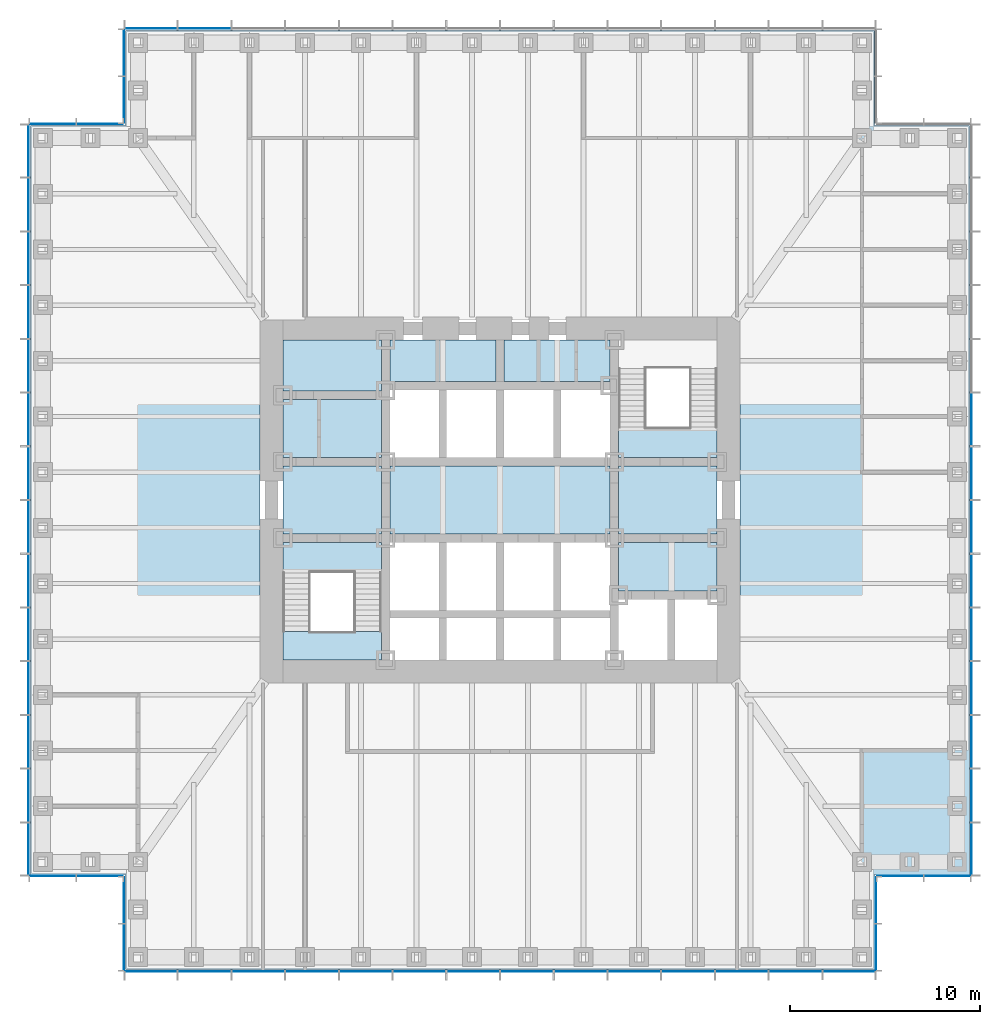
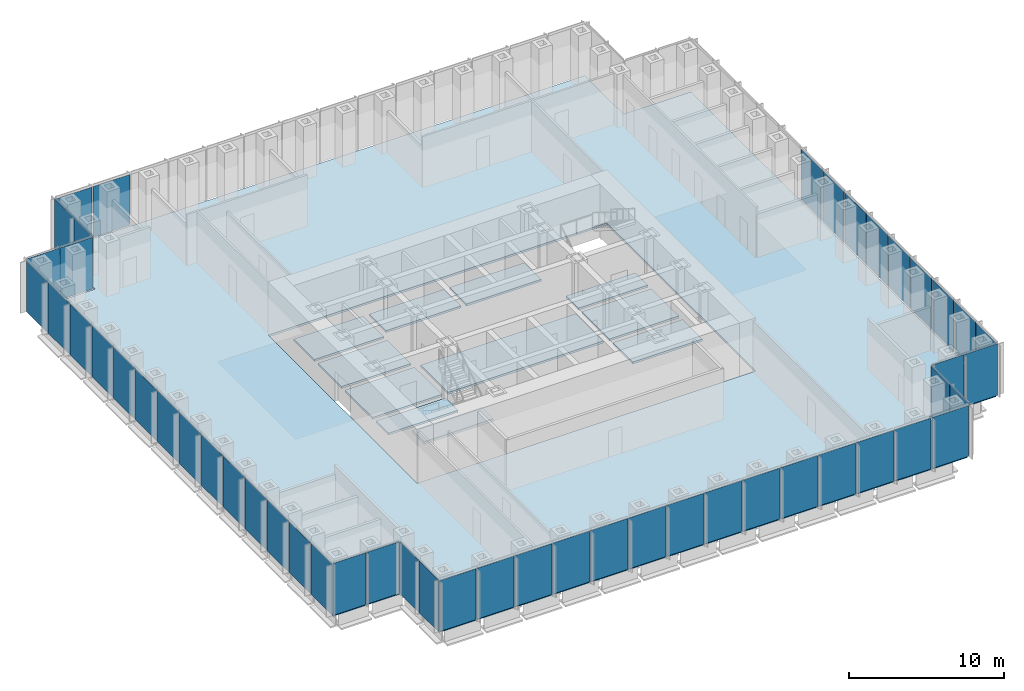
# One storey, part 7 of 16: 51 plates, 12 slabs, 11 elements without a shape of their own.
"""IFC4 building model written with IfcOpenShell, lengths in metres."""

from ifc_helpers import new_model, si_unit, direction, frame, origin, origin_2d, place, context, subcontext, project, spatial, polyline, rectangle, outline, extrude, material, layer, layer_set, type_object, element, aggregate, save


model = new_model("IFC4")

# Units and contexts
model_context = context("Model", 3, precision=1e-05, world=origin(), true_north=direction((0.0, 1.0)))
body_context = subcontext(model_context, "Body", "Model", "MODEL_VIEW")
ifc_project = project(units=[si_unit("LENGTHUNIT", "METRE"), si_unit("AREAUNIT", "SQUARE_METRE"), si_unit("VOLUMEUNIT", "CUBIC_METRE"), si_unit("PLANEANGLEUNIT", "RADIAN"), si_unit("MASSUNIT", "GRAM", prefix="KILO")], contexts=[model_context])

# Site, building, storey
site_placement = place(None, origin())
site = spatial("IfcSite", under=ifc_project, at=site_placement, CompositionType="ELEMENT")
building_placement = place(site_placement, origin())
building = spatial("IfcBuilding", under=site, at=building_placement, Name="Daluyong Arena Tower", CompositionType="ELEMENT")
storey_placement = place(building_placement, frame((0.0, 0.0, 51.699951171875)))
storey = spatial("IfcBuildingStorey", under=building, at=storey_placement, Name="L10", CompositionType="ELEMENT", Elevation=51.699951171875)

# Curtain wall, plates
ifc_material_1 = material(Name="Bronze anodised aluminium and glass", Category="aluminium")
curtain_wall_type_1 = type_object("IfcCurtainWallType", Name="Curtain wall CW1", PredefinedType="USERDEFINED", material=ifc_material_1)
curtain_wall_1_placement = place(storey_placement, origin())
curtain_wall_1 = element("IfcCurtainWall", 1, at=curtain_wall_1_placement, inside=storey, type_object=curtain_wall_type_1, Name="curtain wall L10 S", ObjectType="UNITISED CURTAIN WALL", PredefinedType="USERDEFINED")
ifc_material_2 = material(Name="Tinted double glazed unit", Category="glass")
ifc_layer_1 = layer(ifc_material_2, 0.031982421875)
ifc_layer_set_1 = layer_set([ifc_layer_1], Name="Tinted double glazed unit")
plate_type_1 = type_object("IfcPlateType", Name="CW1 panel 32", PredefinedType="CURTAIN_PANEL", material=ifc_layer_set_1)
plate_1_placement = place(storey_placement, frame((37.6806640625, 55.25, 0.0), z_axis=(0.0, 0.0, 1.0), x_axis=(1.0, 0.0, 0.0)))
plate_1 = element("IfcPlate", 2, at=plate_1_placement, type_object=plate_type_1, Name="curtain wall L10 S panel 1", PredefinedType="CURTAIN_PANEL", context=body_context, shape_type="SweptSolid", body=[
    extrude(rectangle(XDim=2.701416015625, YDim=0.031982421875, at=origin_2d()), origin(), (0.0, 0.0, 1.0), 4.0),
])
plate_2_placement = place(storey_placement, frame((40.482177734375, 55.25, 0.0), z_axis=(0.0, 0.0, 1.0), x_axis=(1.0, 0.0, 0.0)))
plate_2 = element("IfcPlate", 3, at=plate_2_placement, type_object=plate_type_1, Name="curtain wall L10 S panel 2", PredefinedType="CURTAIN_PANEL", context=body_context, shape_type="SweptSolid", body=[
    extrude(rectangle(XDim=2.741455078125, YDim=0.031982421875, at=origin_2d()), origin(), (0.0, 0.0, 1.0), 4.0),
])
plate_3_placement = place(storey_placement, frame((43.303466796875, 55.25, 0.0), z_axis=(0.0, 0.0, 1.0), x_axis=(1.0, 0.0, 0.0)))
plate_3 = element("IfcPlate", 4, at=plate_3_placement, type_object=plate_type_1, Name="curtain wall L10 S panel 3", PredefinedType="CURTAIN_PANEL", context=body_context, shape_type="SweptSolid", body=[
    extrude(rectangle(XDim=2.741455078125, YDim=0.031982421875, at=origin_2d()), origin(), (0.0, 0.0, 1.0), 4.0),
])
plate_4_placement = place(storey_placement, frame((46.125, 55.25, 0.0), z_axis=(0.0, 0.0, 1.0), x_axis=(1.0, 0.0, 0.0)))
plate_4 = element("IfcPlate", 5, at=plate_4_placement, type_object=plate_type_1, Name="curtain wall L10 S panel 4", PredefinedType="CURTAIN_PANEL", context=body_context, shape_type="SweptSolid", body=[
    extrude(rectangle(XDim=2.741455078125, YDim=0.031982421875, at=origin_2d()), origin(), (0.0, 0.0, 1.0), 4.0),
])
plate_5_placement = place(storey_placement, frame((48.946533203125, 55.25, 0.0), z_axis=(0.0, 0.0, 1.0), x_axis=(1.0, 0.0, 0.0)))
plate_5 = element("IfcPlate", 6, at=plate_5_placement, type_object=plate_type_1, Name="curtain wall L10 S panel 5", PredefinedType="CURTAIN_PANEL", context=body_context, shape_type="SweptSolid", body=[
    extrude(rectangle(XDim=2.741455078125, YDim=0.031982421875, at=origin_2d()), origin(), (0.0, 0.0, 1.0), 4.0),
])
plate_6_placement = place(storey_placement, frame((51.767822265625, 55.25, 0.0), z_axis=(0.0, 0.0, 1.0), x_axis=(1.0, 0.0, 0.0)))
plate_6 = element("IfcPlate", 7, at=plate_6_placement, type_object=plate_type_1, Name="curtain wall L10 S panel 6", PredefinedType="CURTAIN_PANEL", context=body_context, shape_type="SweptSolid", body=[
    extrude(rectangle(XDim=2.741455078125, YDim=0.031982421875, at=origin_2d()), origin(), (0.0, 0.0, 1.0), 4.0),
])
plate_7_placement = place(storey_placement, frame((54.58935546875, 55.25, 0.0), z_axis=(0.0, 0.0, 1.0), x_axis=(1.0, 0.0, 0.0)))
plate_7 = element("IfcPlate", 8, at=plate_7_placement, type_object=plate_type_1, Name="curtain wall L10 S panel 7", PredefinedType="CURTAIN_PANEL", context=body_context, shape_type="SweptSolid", body=[
    extrude(rectangle(XDim=2.741455078125, YDim=0.031982421875, at=origin_2d()), origin(), (0.0, 0.0, 1.0), 4.0),
])
plate_8_placement = place(storey_placement, frame((57.41064453125, 55.25, 0.0), z_axis=(0.0, 0.0, 1.0), x_axis=(1.0, 0.0, 0.0)))
plate_8 = element("IfcPlate", 9, at=plate_8_placement, type_object=plate_type_1, Name="curtain wall L10 S panel 8", PredefinedType="CURTAIN_PANEL", context=body_context, shape_type="SweptSolid", body=[
    extrude(rectangle(XDim=2.741455078125, YDim=0.031982421875, at=origin_2d()), origin(), (0.0, 0.0, 1.0), 4.0),
])
plate_9_placement = place(storey_placement, frame((60.232177734375, 55.25, 0.0), z_axis=(0.0, 0.0, 1.0), x_axis=(1.0, 0.0, 0.0)))
plate_9 = element("IfcPlate", 10, at=plate_9_placement, type_object=plate_type_1, Name="curtain wall L10 S panel 9", PredefinedType="CURTAIN_PANEL", context=body_context, shape_type="SweptSolid", body=[
    extrude(rectangle(XDim=2.741455078125, YDim=0.031982421875, at=origin_2d()), origin(), (0.0, 0.0, 1.0), 4.0),
])
plate_10_placement = place(storey_placement, frame((63.053466796875, 55.25, 0.0), z_axis=(0.0, 0.0, 1.0), x_axis=(1.0, 0.0, 0.0)))
plate_10 = element("IfcPlate", 11, at=plate_10_placement, type_object=plate_type_1, Name="curtain wall L10 S panel 10", PredefinedType="CURTAIN_PANEL", context=body_context, shape_type="SweptSolid", body=[
    extrude(rectangle(XDim=2.741455078125, YDim=0.031982421875, at=origin_2d()), origin(), (0.0, 0.0, 1.0), 4.0),
])
plate_11_placement = place(storey_placement, frame((65.875, 55.25, 0.0), z_axis=(0.0, 0.0, 1.0), x_axis=(1.0, 0.0, 0.0)))
plate_11 = element("IfcPlate", 12, at=plate_11_placement, type_object=plate_type_1, Name="curtain wall L10 S panel 11", PredefinedType="CURTAIN_PANEL", context=body_context, shape_type="SweptSolid", body=[
    extrude(rectangle(XDim=2.741455078125, YDim=0.031982421875, at=origin_2d()), origin(), (0.0, 0.0, 1.0), 4.0),
])
plate_12_placement = place(storey_placement, frame((68.696533203125, 55.25, 0.0), z_axis=(0.0, 0.0, 1.0), x_axis=(1.0, 0.0, 0.0)))
plate_12 = element("IfcPlate", 13, at=plate_12_placement, type_object=plate_type_1, Name="curtain wall L10 S panel 12", PredefinedType="CURTAIN_PANEL", context=body_context, shape_type="SweptSolid", body=[
    extrude(rectangle(XDim=2.741455078125, YDim=0.031982421875, at=origin_2d()), origin(), (0.0, 0.0, 1.0), 4.0),
])
plate_13_placement = place(storey_placement, frame((71.517822265625, 55.25, 0.0), z_axis=(0.0, 0.0, 1.0), x_axis=(1.0, 0.0, 0.0)))
plate_13 = element("IfcPlate", 14, at=plate_13_placement, type_object=plate_type_1, Name="curtain wall L10 S panel 13", PredefinedType="CURTAIN_PANEL", context=body_context, shape_type="SweptSolid", body=[
    extrude(rectangle(XDim=2.741455078125, YDim=0.031982421875, at=origin_2d()), origin(), (0.0, 0.0, 1.0), 4.0),
])
plate_14_placement = place(storey_placement, frame((74.3193359375, 55.25, 0.0), z_axis=(0.0, 0.0, 1.0), x_axis=(1.0, 0.0, 0.0)))
plate_14 = element("IfcPlate", 15, at=plate_14_placement, type_object=plate_type_1, Name="curtain wall L10 S panel 14", PredefinedType="CURTAIN_PANEL", context=body_context, shape_type="SweptSolid", body=[
    extrude(rectangle(XDim=2.701416015625, YDim=0.031982421875, at=origin_2d()), origin(), (0.0, 0.0, 1.0), 4.0),
])
aggregate(curtain_wall_1, [plate_1, plate_2, plate_3, plate_4, plate_5, plate_6, plate_7, plate_8, plate_9, plate_10, plate_11, plate_12, plate_13, plate_14])

curtain_wall_2_placement = place(storey_placement, origin())
curtain_wall_2 = element("IfcCurtainWall", 16, at=curtain_wall_2_placement, inside=storey, type_object=curtain_wall_type_1, Name="curtain wall L10 E", ObjectType="UNITISED CURTAIN WALL", PredefinedType="USERDEFINED")
plate_15_placement = place(storey_placement, frame((80.75, 61.6806640625, 0.0), z_axis=(0.0, 0.0, 1.0), x_axis=(0.0, 1.0, 0.0)))
plate_15 = element("IfcPlate", 17, at=plate_15_placement, type_object=plate_type_1, Name="curtain wall L10 E panel 1", PredefinedType="CURTAIN_PANEL", context=body_context, shape_type="SweptSolid", body=[
    extrude(rectangle(XDim=2.701416015625, YDim=0.031982421875, at=origin_2d()), origin(), (0.0, 0.0, 1.0), 4.0),
])
plate_16_placement = place(storey_placement, frame((80.75, 64.482177734375, 0.0), z_axis=(0.0, 0.0, 1.0), x_axis=(0.0, 1.0, 0.0)))
plate_16 = element("IfcPlate", 18, at=plate_16_placement, type_object=plate_type_1, Name="curtain wall L10 E panel 2", PredefinedType="CURTAIN_PANEL", context=body_context, shape_type="SweptSolid", body=[
    extrude(rectangle(XDim=2.741455078125, YDim=0.031982421875, at=origin_2d()), origin(), (0.0, 0.0, 1.0), 4.0),
])
plate_17_placement = place(storey_placement, frame((80.75, 67.303466796875, 0.0), z_axis=(0.0, 0.0, 1.0), x_axis=(0.0, 1.0, 0.0)))
plate_17 = element("IfcPlate", 19, at=plate_17_placement, type_object=plate_type_1, Name="curtain wall L10 E panel 3", PredefinedType="CURTAIN_PANEL", context=body_context, shape_type="SweptSolid", body=[
    extrude(rectangle(XDim=2.741455078125, YDim=0.031982421875, at=origin_2d()), origin(), (0.0, 0.0, 1.0), 4.0),
])
plate_18_placement = place(storey_placement, frame((80.75, 70.125, 0.0), z_axis=(0.0, 0.0, 1.0), x_axis=(0.0, 1.0, 0.0)))
plate_18 = element("IfcPlate", 20, at=plate_18_placement, type_object=plate_type_1, Name="curtain wall L10 E panel 4", PredefinedType="CURTAIN_PANEL", context=body_context, shape_type="SweptSolid", body=[
    extrude(rectangle(XDim=2.741455078125, YDim=0.031982421875, at=origin_2d()), origin(), (0.0, 0.0, 1.0), 4.0),
])
plate_19_placement = place(storey_placement, frame((80.75, 72.946533203125, 0.0), z_axis=(0.0, 0.0, 1.0), x_axis=(0.0, 1.0, 0.0)))
plate_19 = element("IfcPlate", 21, at=plate_19_placement, type_object=plate_type_1, Name="curtain wall L10 E panel 5", PredefinedType="CURTAIN_PANEL", context=body_context, shape_type="SweptSolid", body=[
    extrude(rectangle(XDim=2.741455078125, YDim=0.031982421875, at=origin_2d()), origin(), (0.0, 0.0, 1.0), 4.0),
])
plate_20_placement = place(storey_placement, frame((80.75, 75.767822265625, 0.0), z_axis=(0.0, 0.0, 1.0), x_axis=(0.0, 1.0, 0.0)))
plate_20 = element("IfcPlate", 22, at=plate_20_placement, type_object=plate_type_1, Name="curtain wall L10 E panel 6", PredefinedType="CURTAIN_PANEL", context=body_context, shape_type="SweptSolid", body=[
    extrude(rectangle(XDim=2.741455078125, YDim=0.031982421875, at=origin_2d()), origin(), (0.0, 0.0, 1.0), 4.0),
])
plate_21_placement = place(storey_placement, frame((80.75, 78.58935546875, 0.0), z_axis=(0.0, 0.0, 1.0), x_axis=(0.0, 1.0, 0.0)))
plate_21 = element("IfcPlate", 23, at=plate_21_placement, type_object=plate_type_1, Name="curtain wall L10 E panel 7", PredefinedType="CURTAIN_PANEL", context=body_context, shape_type="SweptSolid", body=[
    extrude(rectangle(XDim=2.741455078125, YDim=0.031982421875, at=origin_2d()), origin(), (0.0, 0.0, 1.0), 4.0),
])
plate_22_placement = place(storey_placement, frame((80.75, 81.41064453125, 0.0), z_axis=(0.0, 0.0, 1.0), x_axis=(0.0, 1.0, 0.0)))
plate_22 = element("IfcPlate", 24, at=plate_22_placement, type_object=plate_type_1, Name="curtain wall L10 E panel 8", PredefinedType="CURTAIN_PANEL", context=body_context, shape_type="SweptSolid", body=[
    extrude(rectangle(XDim=2.741455078125, YDim=0.031982421875, at=origin_2d()), origin(), (0.0, 0.0, 1.0), 4.0),
])
plate_23_placement = place(storey_placement, frame((80.75, 84.232177734375, 0.0), z_axis=(0.0, 0.0, 1.0), x_axis=(0.0, 1.0, 0.0)))
plate_23 = element("IfcPlate", 25, at=plate_23_placement, type_object=plate_type_1, Name="curtain wall L10 E panel 9", PredefinedType="CURTAIN_PANEL", context=body_context, shape_type="SweptSolid", body=[
    extrude(rectangle(XDim=2.741455078125, YDim=0.031982421875, at=origin_2d()), origin(), (0.0, 0.0, 1.0), 4.0),
])
aggregate(curtain_wall_2, [plate_15, plate_16, plate_17, plate_18, plate_19, plate_20, plate_21, plate_22, plate_23])

curtain_wall_3_placement = place(storey_placement, origin())
curtain_wall_3 = element("IfcCurtainWall", 26, at=curtain_wall_3_placement, inside=storey, type_object=curtain_wall_type_1, Name="curtain wall L10 N", ObjectType="UNITISED CURTAIN WALL", PredefinedType="USERDEFINED")
plate_24_placement = place(storey_placement, frame((40.482177734375, 104.75, 0.0), z_axis=(0.0, 0.0, 1.0), x_axis=(-1.0, 0.0, 0.0)))
plate_24 = element("IfcPlate", 27, at=plate_24_placement, type_object=plate_type_1, Name="curtain wall L10 N panel 13", PredefinedType="CURTAIN_PANEL", context=body_context, shape_type="SweptSolid", body=[
    extrude(rectangle(XDim=2.741455078125, YDim=0.031982421875, at=origin_2d()), origin(), (0.0, 0.0, 1.0), 4.0),
])
plate_25_placement = place(storey_placement, frame((37.6806640625, 104.75, 0.0), z_axis=(0.0, 0.0, 1.0), x_axis=(-1.0, 0.0, 0.0)))
plate_25 = element("IfcPlate", 28, at=plate_25_placement, type_object=plate_type_1, Name="curtain wall L10 N panel 14", PredefinedType="CURTAIN_PANEL", context=body_context, shape_type="SweptSolid", body=[
    extrude(rectangle(XDim=2.701416015625, YDim=0.031982421875, at=origin_2d()), origin(), (0.0, 0.0, 1.0), 4.0),
])
aggregate(curtain_wall_3, [plate_24, plate_25])

curtain_wall_4_placement = place(storey_placement, origin())
curtain_wall_4 = element("IfcCurtainWall", 29, at=curtain_wall_4_placement, inside=storey, type_object=curtain_wall_type_1, Name="curtain wall L10 W", ObjectType="UNITISED CURTAIN WALL", PredefinedType="USERDEFINED")
plate_26_placement = place(storey_placement, frame((31.25, 98.3193359375, 0.0), z_axis=(0.0, 0.0, 1.0), x_axis=(0.0, -1.0, 0.0)))
plate_26 = element("IfcPlate", 30, at=plate_26_placement, type_object=plate_type_1, Name="curtain wall L10 W panel 1", PredefinedType="CURTAIN_PANEL", context=body_context, shape_type="SweptSolid", body=[
    extrude(rectangle(XDim=2.701416015625, YDim=0.031982421875, at=origin_2d()), origin(), (0.0, 0.0, 1.0), 4.0),
])
plate_27_placement = place(storey_placement, frame((31.25, 95.517822265625, 0.0), z_axis=(0.0, 0.0, 1.0), x_axis=(0.0, -1.0, 0.0)))
plate_27 = element("IfcPlate", 31, at=plate_27_placement, type_object=plate_type_1, Name="curtain wall L10 W panel 2", PredefinedType="CURTAIN_PANEL", context=body_context, shape_type="SweptSolid", body=[
    extrude(rectangle(XDim=2.741455078125, YDim=0.031982421875, at=origin_2d()), origin(), (0.0, 0.0, 1.0), 4.0),
])
plate_28_placement = place(storey_placement, frame((31.25, 92.696533203125, 0.0), z_axis=(0.0, 0.0, 1.0), x_axis=(0.0, -1.0, 0.0)))
plate_28 = element("IfcPlate", 32, at=plate_28_placement, type_object=plate_type_1, Name="curtain wall L10 W panel 3", PredefinedType="CURTAIN_PANEL", context=body_context, shape_type="SweptSolid", body=[
    extrude(rectangle(XDim=2.741455078125, YDim=0.031982421875, at=origin_2d()), origin(), (0.0, 0.0, 1.0), 4.0),
])
plate_29_placement = place(storey_placement, frame((31.25, 89.875, 0.0), z_axis=(0.0, 0.0, 1.0), x_axis=(0.0, -1.0, 0.0)))
plate_29 = element("IfcPlate", 33, at=plate_29_placement, type_object=plate_type_1, Name="curtain wall L10 W panel 4", PredefinedType="CURTAIN_PANEL", context=body_context, shape_type="SweptSolid", body=[
    extrude(rectangle(XDim=2.741455078125, YDim=0.031982421875, at=origin_2d()), origin(), (0.0, 0.0, 1.0), 4.0),
])
plate_30_placement = place(storey_placement, frame((31.25, 87.053466796875, 0.0), z_axis=(0.0, 0.0, 1.0), x_axis=(0.0, -1.0, 0.0)))
plate_30 = element("IfcPlate", 34, at=plate_30_placement, type_object=plate_type_1, Name="curtain wall L10 W panel 5", PredefinedType="CURTAIN_PANEL", context=body_context, shape_type="SweptSolid", body=[
    extrude(rectangle(XDim=2.741455078125, YDim=0.031982421875, at=origin_2d()), origin(), (0.0, 0.0, 1.0), 4.0),
])
plate_31_placement = place(storey_placement, frame((31.25, 84.232177734375, 0.0), z_axis=(0.0, 0.0, 1.0), x_axis=(0.0, -1.0, 0.0)))
plate_31 = element("IfcPlate", 35, at=plate_31_placement, type_object=plate_type_1, Name="curtain wall L10 W panel 6", PredefinedType="CURTAIN_PANEL", context=body_context, shape_type="SweptSolid", body=[
    extrude(rectangle(XDim=2.741455078125, YDim=0.031982421875, at=origin_2d()), origin(), (0.0, 0.0, 1.0), 4.0),
])
plate_32_placement = place(storey_placement, frame((31.25, 81.41064453125, 0.0), z_axis=(0.0, 0.0, 1.0), x_axis=(0.0, -1.0, 0.0)))
plate_32 = element("IfcPlate", 36, at=plate_32_placement, type_object=plate_type_1, Name="curtain wall L10 W panel 7", PredefinedType="CURTAIN_PANEL", context=body_context, shape_type="SweptSolid", body=[
    extrude(rectangle(XDim=2.741455078125, YDim=0.031982421875, at=origin_2d()), origin(), (0.0, 0.0, 1.0), 4.0),
])
plate_33_placement = place(storey_placement, frame((31.25, 78.58935546875, 0.0), z_axis=(0.0, 0.0, 1.0), x_axis=(0.0, -1.0, 0.0)))
plate_33 = element("IfcPlate", 37, at=plate_33_placement, type_object=plate_type_1, Name="curtain wall L10 W panel 8", PredefinedType="CURTAIN_PANEL", context=body_context, shape_type="SweptSolid", body=[
    extrude(rectangle(XDim=2.741455078125, YDim=0.031982421875, at=origin_2d()), origin(), (0.0, 0.0, 1.0), 4.0),
])
plate_34_placement = place(storey_placement, frame((31.25, 75.767822265625, 0.0), z_axis=(0.0, 0.0, 1.0), x_axis=(0.0, -1.0, 0.0)))
plate_34 = element("IfcPlate", 38, at=plate_34_placement, type_object=plate_type_1, Name="curtain wall L10 W panel 9", PredefinedType="CURTAIN_PANEL", context=body_context, shape_type="SweptSolid", body=[
    extrude(rectangle(XDim=2.741455078125, YDim=0.031982421875, at=origin_2d()), origin(), (0.0, 0.0, 1.0), 4.0),
])
plate_35_placement = place(storey_placement, frame((31.25, 72.946533203125, 0.0), z_axis=(0.0, 0.0, 1.0), x_axis=(0.0, -1.0, 0.0)))
plate_35 = element("IfcPlate", 39, at=plate_35_placement, type_object=plate_type_1, Name="curtain wall L10 W panel 10", PredefinedType="CURTAIN_PANEL", context=body_context, shape_type="SweptSolid", body=[
    extrude(rectangle(XDim=2.741455078125, YDim=0.031982421875, at=origin_2d()), origin(), (0.0, 0.0, 1.0), 4.0),
])
plate_36_placement = place(storey_placement, frame((31.25, 70.125, 0.0), z_axis=(0.0, 0.0, 1.0), x_axis=(0.0, -1.0, 0.0)))
plate_36 = element("IfcPlate", 40, at=plate_36_placement, type_object=plate_type_1, Name="curtain wall L10 W panel 11", PredefinedType="CURTAIN_PANEL", context=body_context, shape_type="SweptSolid", body=[
    extrude(rectangle(XDim=2.741455078125, YDim=0.031982421875, at=origin_2d()), origin(), (0.0, 0.0, 1.0), 4.0),
])
plate_37_placement = place(storey_placement, frame((31.25, 67.303466796875, 0.0), z_axis=(0.0, 0.0, 1.0), x_axis=(0.0, -1.0, 0.0)))
plate_37 = element("IfcPlate", 41, at=plate_37_placement, type_object=plate_type_1, Name="curtain wall L10 W panel 12", PredefinedType="CURTAIN_PANEL", context=body_context, shape_type="SweptSolid", body=[
    extrude(rectangle(XDim=2.741455078125, YDim=0.031982421875, at=origin_2d()), origin(), (0.0, 0.0, 1.0), 4.0),
])
plate_38_placement = place(storey_placement, frame((31.25, 64.482177734375, 0.0), z_axis=(0.0, 0.0, 1.0), x_axis=(0.0, -1.0, 0.0)))
plate_38 = element("IfcPlate", 42, at=plate_38_placement, type_object=plate_type_1, Name="curtain wall L10 W panel 13", PredefinedType="CURTAIN_PANEL", context=body_context, shape_type="SweptSolid", body=[
    extrude(rectangle(XDim=2.741455078125, YDim=0.031982421875, at=origin_2d()), origin(), (0.0, 0.0, 1.0), 4.0),
])
plate_39_placement = place(storey_placement, frame((31.25, 61.6806640625, 0.0), z_axis=(0.0, 0.0, 1.0), x_axis=(0.0, -1.0, 0.0)))
plate_39 = element("IfcPlate", 43, at=plate_39_placement, type_object=plate_type_1, Name="curtain wall L10 W panel 14", PredefinedType="CURTAIN_PANEL", context=body_context, shape_type="SweptSolid", body=[
    extrude(rectangle(XDim=2.701416015625, YDim=0.031982421875, at=origin_2d()), origin(), (0.0, 0.0, 1.0), 4.0),
])
aggregate(curtain_wall_4, [plate_26, plate_27, plate_28, plate_29, plate_30, plate_31, plate_32, plate_33, plate_34, plate_35, plate_36, plate_37, plate_38, plate_39])

ifc_material_3 = material(Name="Bronze anodised aluminium and glass", Category="aluminium")
curtain_wall_type_2 = type_object("IfcCurtainWallType", Name="Curtain wall CW7", PredefinedType="USERDEFINED", material=ifc_material_3)
curtain_wall_5_placement = place(storey_placement, origin())
curtain_wall_5 = element("IfcCurtainWall", 44, at=curtain_wall_5_placement, inside=storey, type_object=curtain_wall_type_2, Name="curtain wall L10 SE-E", ObjectType="UNITISED CURTAIN WALL", PredefinedType="USERDEFINED")
ifc_material_4 = material(Name="Tinted double glazed unit", Category="glass")
ifc_layer_2 = layer(ifc_material_4, 0.028076171875)
ifc_layer_set_2 = layer_set([ifc_layer_2], Name="Tinted double glazed unit")
plate_type_2 = type_object("IfcPlateType", Name="CW7 panel 28", PredefinedType="CURTAIN_PANEL", material=ifc_layer_set_2)
plate_40_placement = place(storey_placement, frame((75.75, 56.514892578125, 0.0), z_axis=(0.0, 0.0, 1.0), x_axis=(0.0, 1.0, 0.0)))
plate_40 = element("IfcPlate", 45, at=plate_40_placement, type_object=plate_type_2, Name="curtain wall L10 SE-E panel 1", PredefinedType="CURTAIN_PANEL", context=body_context, shape_type="SweptSolid", body=[
    extrude(rectangle(XDim=2.409912109375, YDim=0.028076171875, at=origin_2d()), origin(), (0.0, 0.0, 1.0), 4.080078125),
])
plate_41_placement = place(storey_placement, frame((75.75, 58.985107421875, 0.0), z_axis=(0.0, 0.0, 1.0), x_axis=(0.0, 1.0, 0.0)))
plate_41 = element("IfcPlate", 46, at=plate_41_placement, type_object=plate_type_2, Name="curtain wall L10 SE-E panel 2", PredefinedType="CURTAIN_PANEL", context=body_context, shape_type="SweptSolid", body=[
    extrude(rectangle(XDim=2.409912109375, YDim=0.028076171875, at=origin_2d()), origin(), (0.0, 0.0, 1.0), 4.080078125),
])
aggregate(curtain_wall_5, [plate_40, plate_41])

curtain_wall_6_placement = place(storey_placement, origin())
curtain_wall_6 = element("IfcCurtainWall", 47, at=curtain_wall_6_placement, inside=storey, type_object=curtain_wall_type_2, Name="curtain wall L10 SE-S", ObjectType="UNITISED CURTAIN WALL", PredefinedType="USERDEFINED")
plate_42_placement = place(storey_placement, frame((77.014892578125, 60.25, 0.0), z_axis=(0.0, 0.0, 1.0), x_axis=(1.0, 0.0, 0.0)))
plate_42 = element("IfcPlate", 48, at=plate_42_placement, type_object=plate_type_2, Name="curtain wall L10 SE-S panel 1", PredefinedType="CURTAIN_PANEL", context=body_context, shape_type="SweptSolid", body=[
    extrude(rectangle(XDim=2.409912109375, YDim=0.028076171875, at=origin_2d()), origin(), (0.0, 0.0, 1.0), 4.080078125),
])
plate_43_placement = place(storey_placement, frame((79.485107421875, 60.25, 0.0), z_axis=(0.0, 0.0, 1.0), x_axis=(1.0, 0.0, 0.0)))
plate_43 = element("IfcPlate", 49, at=plate_43_placement, type_object=plate_type_2, Name="curtain wall L10 SE-S panel 2", PredefinedType="CURTAIN_PANEL", context=body_context, shape_type="SweptSolid", body=[
    extrude(rectangle(XDim=2.409912109375, YDim=0.028076171875, at=origin_2d()), origin(), (0.0, 0.0, 1.0), 4.080078125),
])
aggregate(curtain_wall_6, [plate_42, plate_43])

curtain_wall_7_placement = place(storey_placement, origin())
curtain_wall_7 = element("IfcCurtainWall", 50, at=curtain_wall_7_placement, inside=storey, type_object=curtain_wall_type_2, Name="curtain wall L10 NW-W", ObjectType="UNITISED CURTAIN WALL", PredefinedType="USERDEFINED")
plate_44_placement = place(storey_placement, frame((36.25, 103.485107421875, 0.0), z_axis=(0.0, 0.0, 1.0), x_axis=(0.0, -1.0, 0.0)))
plate_44 = element("IfcPlate", 51, at=plate_44_placement, type_object=plate_type_2, Name="curtain wall L10 NW-W panel 1", PredefinedType="CURTAIN_PANEL", context=body_context, shape_type="SweptSolid", body=[
    extrude(rectangle(XDim=2.409912109375, YDim=0.028076171875, at=origin_2d()), origin(), (0.0, 0.0, 1.0), 4.080078125),
])
plate_45_placement = place(storey_placement, frame((36.25, 101.014892578125, 0.0), z_axis=(0.0, 0.0, 1.0), x_axis=(0.0, -1.0, 0.0)))
plate_45 = element("IfcPlate", 52, at=plate_45_placement, type_object=plate_type_2, Name="curtain wall L10 NW-W panel 2", PredefinedType="CURTAIN_PANEL", context=body_context, shape_type="SweptSolid", body=[
    extrude(rectangle(XDim=2.409912109375, YDim=0.028076171875, at=origin_2d()), origin(), (0.0, 0.0, 1.0), 4.080078125),
])
aggregate(curtain_wall_7, [plate_44, plate_45])

curtain_wall_8_placement = place(storey_placement, origin())
curtain_wall_8 = element("IfcCurtainWall", 53, at=curtain_wall_8_placement, inside=storey, type_object=curtain_wall_type_2, Name="curtain wall L10 NW-N", ObjectType="UNITISED CURTAIN WALL", PredefinedType="USERDEFINED")
plate_46_placement = place(storey_placement, frame((34.985107421875, 99.75, 0.0), z_axis=(0.0, 0.0, 1.0), x_axis=(-1.0, 0.0, 0.0)))
plate_46 = element("IfcPlate", 54, at=plate_46_placement, type_object=plate_type_2, Name="curtain wall L10 NW-N panel 1", PredefinedType="CURTAIN_PANEL", context=body_context, shape_type="SweptSolid", body=[
    extrude(rectangle(XDim=2.409912109375, YDim=0.028076171875, at=origin_2d()), origin(), (0.0, 0.0, 1.0), 4.080078125),
])
plate_47_placement = place(storey_placement, frame((32.514892578125, 99.75, 0.0), z_axis=(0.0, 0.0, 1.0), x_axis=(-1.0, 0.0, 0.0)))
plate_47 = element("IfcPlate", 55, at=plate_47_placement, type_object=plate_type_2, Name="curtain wall L10 NW-N panel 2", PredefinedType="CURTAIN_PANEL", context=body_context, shape_type="SweptSolid", body=[
    extrude(rectangle(XDim=2.409912109375, YDim=0.028076171875, at=origin_2d()), origin(), (0.0, 0.0, 1.0), 4.080078125),
])
aggregate(curtain_wall_8, [plate_46, plate_47])

curtain_wall_9_placement = place(storey_placement, origin())
curtain_wall_9 = element("IfcCurtainWall", 56, at=curtain_wall_9_placement, inside=storey, type_object=curtain_wall_type_2, Name="curtain wall L10 SW-S", ObjectType="UNITISED CURTAIN WALL", PredefinedType="USERDEFINED")
plate_48_placement = place(storey_placement, frame((32.514892578125, 60.25, 0.0), z_axis=(0.0, 0.0, 1.0), x_axis=(1.0, 0.0, 0.0)))
plate_48 = element("IfcPlate", 57, at=plate_48_placement, type_object=plate_type_2, Name="curtain wall L10 SW-S panel 1", PredefinedType="CURTAIN_PANEL", context=body_context, shape_type="SweptSolid", body=[
    extrude(rectangle(XDim=2.409912109375, YDim=0.028076171875, at=origin_2d()), origin(), (0.0, 0.0, 1.0), 4.080078125),
])
plate_49_placement = place(storey_placement, frame((34.985107421875, 60.25, 0.0), z_axis=(0.0, 0.0, 1.0), x_axis=(1.0, 0.0, 0.0)))
plate_49 = element("IfcPlate", 58, at=plate_49_placement, type_object=plate_type_2, Name="curtain wall L10 SW-S panel 2", PredefinedType="CURTAIN_PANEL", context=body_context, shape_type="SweptSolid", body=[
    extrude(rectangle(XDim=2.409912109375, YDim=0.028076171875, at=origin_2d()), origin(), (0.0, 0.0, 1.0), 4.080078125),
])
aggregate(curtain_wall_9, [plate_48, plate_49])

curtain_wall_10_placement = place(storey_placement, origin())
curtain_wall_10 = element("IfcCurtainWall", 59, at=curtain_wall_10_placement, inside=storey, type_object=curtain_wall_type_2, Name="curtain wall L10 SW-W", ObjectType="UNITISED CURTAIN WALL", PredefinedType="USERDEFINED")
plate_50_placement = place(storey_placement, frame((36.25, 58.985107421875, 0.0), z_axis=(0.0, 0.0, 1.0), x_axis=(0.0, -1.0, 0.0)))
plate_50 = element("IfcPlate", 60, at=plate_50_placement, type_object=plate_type_2, Name="curtain wall L10 SW-W panel 1", PredefinedType="CURTAIN_PANEL", context=body_context, shape_type="SweptSolid", body=[
    extrude(rectangle(XDim=2.409912109375, YDim=0.028076171875, at=origin_2d()), origin(), (0.0, 0.0, 1.0), 4.080078125),
])
plate_51_placement = place(storey_placement, frame((36.25, 56.514892578125, 0.0), z_axis=(0.0, 0.0, 1.0), x_axis=(0.0, -1.0, 0.0)))
plate_51 = element("IfcPlate", 61, at=plate_51_placement, type_object=plate_type_2, Name="curtain wall L10 SW-W panel 2", PredefinedType="CURTAIN_PANEL", context=body_context, shape_type="SweptSolid", body=[
    extrude(rectangle(XDim=2.409912109375, YDim=0.028076171875, at=origin_2d()), origin(), (0.0, 0.0, 1.0), 4.080078125),
])
aggregate(curtain_wall_10, [plate_50, plate_51])

# Stair, slab
ifc_material_5 = material(Name="Concrete fc' 35 MPa", Category="concrete")
stair_type = type_object("IfcStairType", Name="Core exit stair", PredefinedType="HALF_TURN_STAIR", material=ifc_material_5)
stair_placement = place(storey_placement, origin())
stair = element("IfcStair", 62, at=stair_placement, inside=storey, type_object=stair_type, Name="exit stair A L10", PredefinedType="HALF_TURN_STAIR")
ifc_material_6 = material(Name="Concrete fc' 35 MPa", Category="concrete")
ifc_layer_3 = layer(ifc_material_6, 0.199951171875)
ifc_layer_set_3 = layer_set([ifc_layer_3], Name="Concrete fc' 35 MPa")
slab_type_1 = type_object("IfcSlabType", Name="Stair landing 200", PredefinedType="LANDING", material=ifc_layer_set_3)
slab_1_placement = place(storey_placement, frame((0.0, 0.0, 1.900146484375)))
slab_1 = element("IfcSlab", 63, at=slab_1_placement, type_object=slab_type_1, Name="STA landing 1", PredefinedType="LANDING", context=body_context, shape_type="SweptSolid", body=[
    extrude(outline(polyline([(44.60009765625, 71.60009765625), (49.77490234375, 71.60009765625), (49.77490234375, 73.094970703125), (44.60009765625, 73.094970703125), (44.60009765625, 71.60009765625)])), origin(), (0.0, 0.0, 1.0), 0.199951171875),
])
aggregate(stair, [slab_1])

# Slabs
ifc_material_7 = material(Name="Concrete fc' 35 MPa", Category="concrete")
ifc_layer_4 = layer(ifc_material_7, 0.159912109375)
ifc_layer_set_4 = layer_set([ifc_layer_4], Name="Concrete fc' 35 MPa")
slab_type_2 = type_object("IfcSlabType", Name="Tower floor slab 160", PredefinedType="FLOOR", material=ifc_layer_set_4)
slab_2_placement = place(storey_placement, frame((0.0, 0.0, -0.159912109375)))
element("IfcSlab", 64, at=slab_2_placement, inside=storey, type_object=slab_type_2, Name="floor L10 part 1", PredefinedType="FLOOR", context=body_context, shape_type="SweptSolid", body=[
    extrude(outline(polyline([(49.77490234375, 76.175048828125), (49.77490234375, 77.77490234375), (44.60009765625, 77.77490234375), (44.60009765625, 76.175048828125), (49.77490234375, 76.175048828125)])), origin(), (0.0, 0.0, 1.0), 0.159912109375),
])
slab_3_placement = place(storey_placement, frame((0.0, 0.0, -0.159912109375)))
element("IfcSlab", 65, at=slab_3_placement, inside=storey, type_object=slab_type_2, Name="floor L10 part 2", PredefinedType="FLOOR", context=body_context, shape_type="SweptSolid", body=[
    extrude(outline(polyline([(49.77490234375, 78.22509765625), (49.77490234375, 81.77490234375), (44.60009765625, 81.77490234375), (44.60009765625, 78.22509765625), (49.77490234375, 78.22509765625)])), origin(), (0.0, 0.0, 1.0), 0.159912109375),
])
slab_4_placement = place(storey_placement, frame((0.0, 0.0, -0.159912109375)))
element("IfcSlab", 66, at=slab_4_placement, inside=storey, type_object=slab_type_2, Name="floor L10 part 3", PredefinedType="FLOOR", context=body_context, shape_type="SweptSolid", body=[
    extrude(outline(polyline([(49.77490234375, 82.22509765625), (49.77490234375, 85.27490234375), (44.60009765625, 85.27490234375), (44.60009765625, 82.22509765625), (49.77490234375, 82.22509765625)])), origin(), (0.0, 0.0, 1.0), 0.159912109375),
])
slab_5_placement = place(storey_placement, frame((0.0, 0.0, -0.159912109375)))
element("IfcSlab", 67, at=slab_5_placement, inside=storey, type_object=slab_type_2, Name="floor L10 part 4", PredefinedType="FLOOR", context=body_context, shape_type="SweptSolid", body=[
    extrude(outline(polyline([(44.60009765625, 88.39990234375), (44.60009765625, 85.72509765625), (49.77490234375, 85.72509765625), (49.77490234375, 88.39990234375), (44.60009765625, 88.39990234375)])), origin(), (0.0, 0.0, 1.0), 0.159912109375),
])
slab_6_placement = place(storey_placement, frame((0.0, 0.0, -0.159912109375)))
element("IfcSlab", 68, at=slab_6_placement, inside=storey, type_object=slab_type_2, Name="floor L10 part 5", PredefinedType="FLOOR", context=body_context, shape_type="SweptSolid", body=[
    extrude(outline(polyline([(50.22509765625, 88.39990234375), (50.22509765625, 86.22509765625), (55.800048828125, 86.22509765625), (55.800048828125, 88.39990234375), (50.22509765625, 88.39990234375)])), origin(), (0.0, 0.0, 1.0), 0.159912109375),
])
slab_7_placement = place(storey_placement, frame((0.0, 0.0, -0.159912109375)))
element("IfcSlab", 69, at=slab_7_placement, inside=storey, type_object=slab_type_2, Name="floor L10 part 6", PredefinedType="FLOOR", context=body_context, shape_type="SweptSolid", body=[
    extrude(outline(polyline([(36.35009765625, 60.35009765625), (36.35009765625, 55.35009765625), (75.64990234375, 55.35009765625), (75.64990234375, 60.35009765625), (80.64990234375, 60.35009765625), (80.64990234375, 99.64990234375), (75.64990234375, 99.64990234375), (75.64990234375, 104.64990234375), (36.35009765625, 104.64990234375), (36.35009765625, 99.64990234375), (31.35009765625, 99.64990234375), (31.35009765625, 60.35009765625), (36.35009765625, 60.35009765625)]), holes=[polyline([(68.60009765625, 89.60009765625), (68.60009765625, 70.39990234375), (43.39990234375, 70.39990234375), (43.39990234375, 89.60009765625), (68.60009765625, 89.60009765625)])]), origin(), (0.0, 0.0, 1.0), 0.159912109375),
])
slab_8_placement = place(storey_placement, frame((0.0, 0.0, -0.159912109375)))
element("IfcSlab", 70, at=slab_8_placement, inside=storey, type_object=slab_type_2, Name="floor L10 part 7", PredefinedType="FLOOR", context=body_context, shape_type="SweptSolid", body=[
    extrude(outline(polyline([(61.77490234375, 81.77490234375), (50.22509765625, 81.77490234375), (50.22509765625, 78.22509765625), (61.77490234375, 78.22509765625), (61.77490234375, 81.77490234375)])), origin(), (0.0, 0.0, 1.0), 0.159912109375),
])
slab_9_placement = place(storey_placement, frame((0.0, 0.0, -0.159912109375)))
element("IfcSlab", 71, at=slab_9_placement, inside=storey, type_object=slab_type_2, Name="floor L10 part 8", PredefinedType="FLOOR", context=body_context, shape_type="SweptSolid", body=[
    extrude(outline(polyline([(56.199951171875, 86.22509765625), (61.77490234375, 86.22509765625), (61.77490234375, 88.39990234375), (56.199951171875, 88.39990234375), (56.199951171875, 86.22509765625)])), origin(), (0.0, 0.0, 1.0), 0.159912109375),
])
slab_10_placement = place(storey_placement, frame((0.0, 0.0, -0.159912109375)))
element("IfcSlab", 72, at=slab_10_placement, inside=storey, type_object=slab_type_2, Name="floor L10 part 9", PredefinedType="FLOOR", context=body_context, shape_type="SweptSolid", body=[
    extrude(outline(polyline([(67.39990234375, 75.22509765625), (67.39990234375, 77.77490234375), (62.22509765625, 77.77490234375), (62.22509765625, 75.22509765625), (67.39990234375, 75.22509765625)])), origin(), (0.0, 0.0, 1.0), 0.159912109375),
])
slab_11_placement = place(storey_placement, frame((0.0, 0.0, -0.159912109375)))
element("IfcSlab", 73, at=slab_11_placement, inside=storey, type_object=slab_type_2, Name="floor L10 part 10", PredefinedType="FLOOR", context=body_context, shape_type="SweptSolid", body=[
    extrude(outline(polyline([(67.39990234375, 78.22509765625), (67.39990234375, 81.77490234375), (62.22509765625, 81.77490234375), (62.22509765625, 78.22509765625), (67.39990234375, 78.22509765625)])), origin(), (0.0, 0.0, 1.0), 0.159912109375),
])
slab_12_placement = place(storey_placement, frame((0.0, 0.0, -0.159912109375)))
element("IfcSlab", 74, at=slab_12_placement, inside=storey, type_object=slab_type_2, Name="floor L10 part 11", PredefinedType="FLOOR", context=body_context, shape_type="SweptSolid", body=[
    extrude(outline(polyline([(67.39990234375, 82.22509765625), (67.39990234375, 83.824951171875), (62.22509765625, 83.824951171875), (62.22509765625, 82.22509765625), (67.39990234375, 82.22509765625)])), origin(), (0.0, 0.0, 1.0), 0.159912109375),
])

save(model, "model.ifc")
